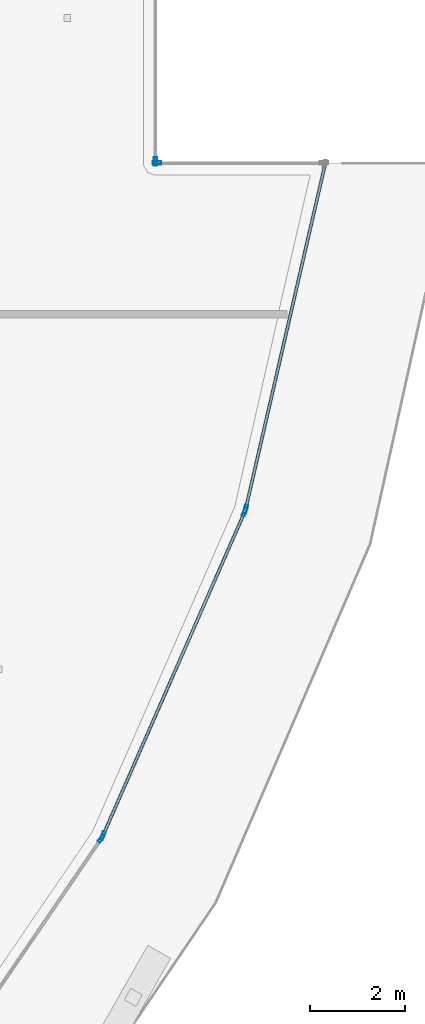
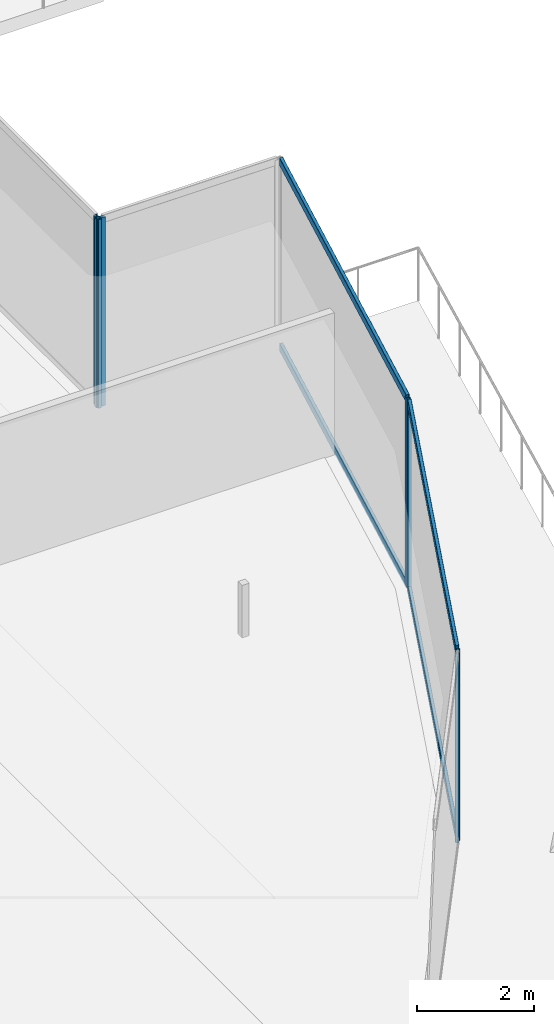
# One storey, part 23 of 45: 10 members, 5 elements without a shape of their own.
"""IFC4 building model written with IfcOpenShell, lengths in metres."""

from ifc_helpers import new_model, si_unit, direction, frame, origin, origin_2d, place, context, subcontext, project, spatial, hollow_rectangle, extrude, material, layer, layer_set, material_profile, profile_set, type_object, element, aggregate, save


model = new_model("IFC4")

# Units and contexts
model_context = context("Model", 3, precision=1e-05, world=origin(), true_north=direction((0.0, 1.0)))
body_context = subcontext(model_context, "Body", "Model", "MODEL_VIEW")
ifc_project = project(units=[si_unit("LENGTHUNIT", "METRE"), si_unit("AREAUNIT", "SQUARE_METRE"), si_unit("VOLUMEUNIT", "CUBIC_METRE"), si_unit("PLANEANGLEUNIT", "RADIAN"), si_unit("MASSUNIT", "GRAM", prefix="KILO")], contexts=[model_context])

# Site, building, storey
site_placement = place(None, origin())
site = spatial("IfcSite", under=ifc_project, at=site_placement, CompositionType="ELEMENT")
building_placement = place(site_placement, origin())
building = spatial("IfcBuilding", under=site, at=building_placement, Name="Qorvath Tower", CompositionType="ELEMENT")
storey_placement = place(building_placement, frame((0.0, 0.0, 49.199951171875)))
storey = spatial("IfcBuildingStorey", under=building, at=storey_placement, Name="L10", CompositionType="ELEMENT", Elevation=49.199951171875)

# Curtain wall, member
ifc_material_1 = material(Name="Anodised aluminium and triple low-E glass", Category="aluminium")
ifc_layer = layer(ifc_material_1, 0.179931640625)
ifc_layer_set = layer_set([ifc_layer], Name="CW-SYS-2")
curtain_wall_type = type_object("IfcCurtainWallType", Name="CW-SYS-2", PredefinedType="NOTDEFINED", material=ifc_layer_set)
curtain_wall_1_placement = place(storey_placement, origin())
curtain_wall_1 = element("IfcCurtainWall", 1, at=curtain_wall_1_placement, inside=storey, type_object=curtain_wall_type, Name="Curtain Wall CW-2 CW-T-L10-5.1", PredefinedType="NOTDEFINED")
ifc_material_2 = material(Name="Anodised aluminium 6063-T6", Category="aluminium")
ifc_material_profile_1 = material_profile(ifc_material_2, hollow_rectangle(XDim=0.06494140625, YDim=0.179931640625, WallThickness=0.00341796875, InnerFilletRadius=0.00341796875, OuterFilletRadius=0.007080078125, at=origin_2d()), Name="CWM 180x65")
ifc_profile_set_1 = profile_set([ifc_material_profile_1], Name="Anodised aluminium 6063-T6")
member_type_1 = type_object("IfcMemberType", Name="CWM-180", PredefinedType="MULLION", material=ifc_profile_set_1)
member_1_placement = place(storey_placement, frame((2.60498046875, -19.55615234375, 0.0), z_axis=(0.0, 0.0, 1.0), x_axis=(-0.825849008834, 0.563891314535, 0.0)))
member_1 = element("IfcMember", 2, at=member_1_placement, type_object=member_type_1, Name="CW-2 mullion 2", PredefinedType="MULLION", context=body_context, shape_type="SweptSolid", body=[
    extrude(hollow_rectangle(XDim=0.06494140625, YDim=0.179931640625, WallThickness=0.00341796875, InnerFilletRadius=0.00341796875, OuterFilletRadius=0.007080078125, at=origin_2d()), origin(), (0.0, 0.0, 1.0), 3.920166015625),
])
aggregate(curtain_wall_1, [member_1])

# Curtain wall, members
curtain_wall_2_placement = place(storey_placement, origin())
curtain_wall_2 = element("IfcCurtainWall", 3, at=curtain_wall_2_placement, inside=storey, type_object=curtain_wall_type, Name="Curtain Wall CW-2 CW-T-L10-6.1", PredefinedType="NOTDEFINED")
member_2_placement = place(storey_placement, frame((2.63623046875, -19.49951171875, 0.0), z_axis=(0.0, 0.0, 1.0), x_axis=(-0.916000523281, 0.401177069819, 0.0)))
member_2 = element("IfcMember", 4, at=member_2_placement, type_object=member_type_1, Name="CW-2 mullion 1", PredefinedType="MULLION", context=body_context, shape_type="SweptSolid", body=[
    extrude(hollow_rectangle(XDim=0.06494140625, YDim=0.179931640625, WallThickness=0.00341796875, InnerFilletRadius=0.00341796875, OuterFilletRadius=0.007080078125, at=origin_2d()), origin(), (0.0, 0.0, 1.0), 3.920166015625),
])
member_3_placement = place(storey_placement, frame((5.617919921875, -12.69189453125, 0.0), z_axis=(0.0, 0.0, 1.0), x_axis=(-0.916000523281, 0.401177069819, 0.0)))
member_3 = element("IfcMember", 5, at=member_3_placement, type_object=member_type_1, Name="CW-2 mullion 2", PredefinedType="MULLION", context=body_context, shape_type="SweptSolid", body=[
    extrude(hollow_rectangle(XDim=0.06494140625, YDim=0.179931640625, WallThickness=0.00341796875, InnerFilletRadius=0.00341796875, OuterFilletRadius=0.007080078125, at=origin_2d()), origin(), (0.0, 0.0, 1.0), 3.920166015625),
])

# Curtain wall, member
curtain_wall_3_placement = place(storey_placement, origin())
curtain_wall_3 = element("IfcCurtainWall", 6, at=curtain_wall_3_placement, inside=storey, type_object=curtain_wall_type, Name="Curtain Wall CW-2 CW-T-L10-7.1", PredefinedType="NOTDEFINED")
member_4_placement = place(storey_placement, frame((5.63818359375, -12.63037109375, 0.0), z_axis=(0.0, 0.0, 1.0), x_axis=(-0.974466004857, 0.224535087188, 0.0)))
member_4 = element("IfcMember", 7, at=member_4_placement, type_object=member_type_1, Name="CW-2 mullion 1", PredefinedType="MULLION", context=body_context, shape_type="SweptSolid", body=[
    extrude(hollow_rectangle(XDim=0.06494140625, YDim=0.179931640625, WallThickness=0.00341796875, InnerFilletRadius=0.00341796875, OuterFilletRadius=0.007080078125, at=origin_2d()), origin(), (0.0, 0.0, 1.0), 3.920166015625),
])

curtain_wall_4_placement = place(storey_placement, origin())
curtain_wall_4 = element("IfcCurtainWall", 8, at=curtain_wall_4_placement, inside=storey, type_object=curtain_wall_type, Name="Curtain Wall CW-2 CW-T-L10-8.1", PredefinedType="NOTDEFINED")
member_5_placement = place(storey_placement, frame((3.775390625, -5.356689453125, 0.0), z_axis=(0.0, 0.0, 1.0), x_axis=(0.0, -1.0, 0.0)))
member_5 = element("IfcMember", 9, at=member_5_placement, type_object=member_type_1, Name="CW-2 mullion 2", PredefinedType="MULLION", context=body_context, shape_type="SweptSolid", body=[
    extrude(hollow_rectangle(XDim=0.06494140625, YDim=0.179931640625, WallThickness=0.00341796875, InnerFilletRadius=0.00341796875, OuterFilletRadius=0.007080078125, at=origin_2d()), origin(), (0.0, 0.0, 1.0), 3.920166015625),
])
aggregate(curtain_wall_4, [member_5])

curtain_wall_5_placement = place(storey_placement, origin())
curtain_wall_5 = element("IfcCurtainWall", 10, at=curtain_wall_5_placement, inside=storey, type_object=curtain_wall_type, Name="Curtain Wall CW-2 CW-T-L10-9.1", PredefinedType="NOTDEFINED")
member_6_placement = place(storey_placement, frame((3.742919921875, -5.32421875, 0.0), z_axis=(0.0, 0.0, 1.0), x_axis=(-1.0, 0.0, 0.0)))
member_6 = element("IfcMember", 11, at=member_6_placement, type_object=member_type_1, Name="CW-2 mullion 1", PredefinedType="MULLION", context=body_context, shape_type="SweptSolid", body=[
    extrude(hollow_rectangle(XDim=0.06494140625, YDim=0.179931640625, WallThickness=0.00341796875, InnerFilletRadius=0.00341796875, OuterFilletRadius=0.007080078125, at=origin_2d()), origin(), (0.0, 0.0, 1.0), 3.920166015625),
])
aggregate(curtain_wall_5, [member_6])

# Member
ifc_material_3 = material(Name="Anodised aluminium 6063-T6", Category="aluminium")
ifc_material_profile_2 = material_profile(ifc_material_3, hollow_rectangle(XDim=0.06494140625, YDim=0.159912109375, WallThickness=0.00341796875, InnerFilletRadius=0.00341796875, OuterFilletRadius=0.007080078125, at=origin_2d()), Name="CWT 160x65")
ifc_profile_set_2 = profile_set([ifc_material_profile_2], Name="Anodised aluminium 6063-T6")
member_type_2 = type_object("IfcMemberType", Name="CWT-160", PredefinedType="USERDEFINED", material=ifc_profile_set_2)
member_7_placement = place(storey_placement, frame((2.6494140625, -19.4697265625, 0.032470703125), z_axis=(0.401166509416, 0.916005148306, 0.0), x_axis=(-0.916005148306, 0.401166509416, 0.0)))
member_7 = element("IfcMember", 12, at=member_7_placement, type_object=member_type_2, Name="CW-2 transom 1.1", ObjectType="TRANSOM", PredefinedType="USERDEFINED", context=body_context, shape_type="SweptSolid", body=[
    extrude(hollow_rectangle(XDim=0.06494140625, YDim=0.159912109375, WallThickness=0.00341796875, InnerFilletRadius=0.00341796875, OuterFilletRadius=0.007080078125, at=origin_2d()), origin(), (0.0, 0.0, 1.0), 7.366943359375),
])

member_8_placement = place(storey_placement, frame((2.6494140625, -19.4697265625, 3.8876953125), z_axis=(0.401166509416, 0.916005148306, 0.0), x_axis=(-0.916005148306, 0.401166509416, 0.0)))
member_8 = element("IfcMember", 13, at=member_8_placement, type_object=member_type_2, Name="CW-2 transom 1.2", ObjectType="TRANSOM", PredefinedType="USERDEFINED", context=body_context, shape_type="SweptSolid", body=[
    extrude(hollow_rectangle(XDim=0.06494140625, YDim=0.159912109375, WallThickness=0.00341796875, InnerFilletRadius=0.00341796875, OuterFilletRadius=0.007080078125, at=origin_2d()), origin(), (0.0, 0.0, 1.0), 7.366943359375),
])

aggregate(curtain_wall_2, [member_2, member_3, member_7, member_8])

member_9_placement = place(storey_placement, frame((5.6455078125, -12.598876953125, 0.032470703125), z_axis=(0.224520650213, 0.974469331292, 0.0), x_axis=(-0.974469331292, 0.224520650213, 0.0)))
member_9 = element("IfcMember", 14, at=member_9_placement, type_object=member_type_2, Name="CW-2 transom 1.1", ObjectType="TRANSOM", PredefinedType="USERDEFINED", context=body_context, shape_type="SweptSolid", body=[
    extrude(hollow_rectangle(XDim=0.06494140625, YDim=0.159912109375, WallThickness=0.00341796875, InnerFilletRadius=0.00341796875, OuterFilletRadius=0.007080078125, at=origin_2d()), origin(), (0.0, 0.0, 1.0), 7.366943359375),
])

member_10_placement = place(storey_placement, frame((5.6455078125, -12.598876953125, 3.8876953125), z_axis=(0.224520650213, 0.974469331292, 0.0), x_axis=(-0.974469331292, 0.224520650213, 0.0)))
member_10 = element("IfcMember", 15, at=member_10_placement, type_object=member_type_2, Name="CW-2 transom 1.2", ObjectType="TRANSOM", PredefinedType="USERDEFINED", context=body_context, shape_type="SweptSolid", body=[
    extrude(hollow_rectangle(XDim=0.06494140625, YDim=0.159912109375, WallThickness=0.00341796875, InnerFilletRadius=0.00341796875, OuterFilletRadius=0.007080078125, at=origin_2d()), origin(), (0.0, 0.0, 1.0), 7.366943359375),
])

aggregate(curtain_wall_3, [member_4, member_9, member_10])

save(model, "model.ifc")
